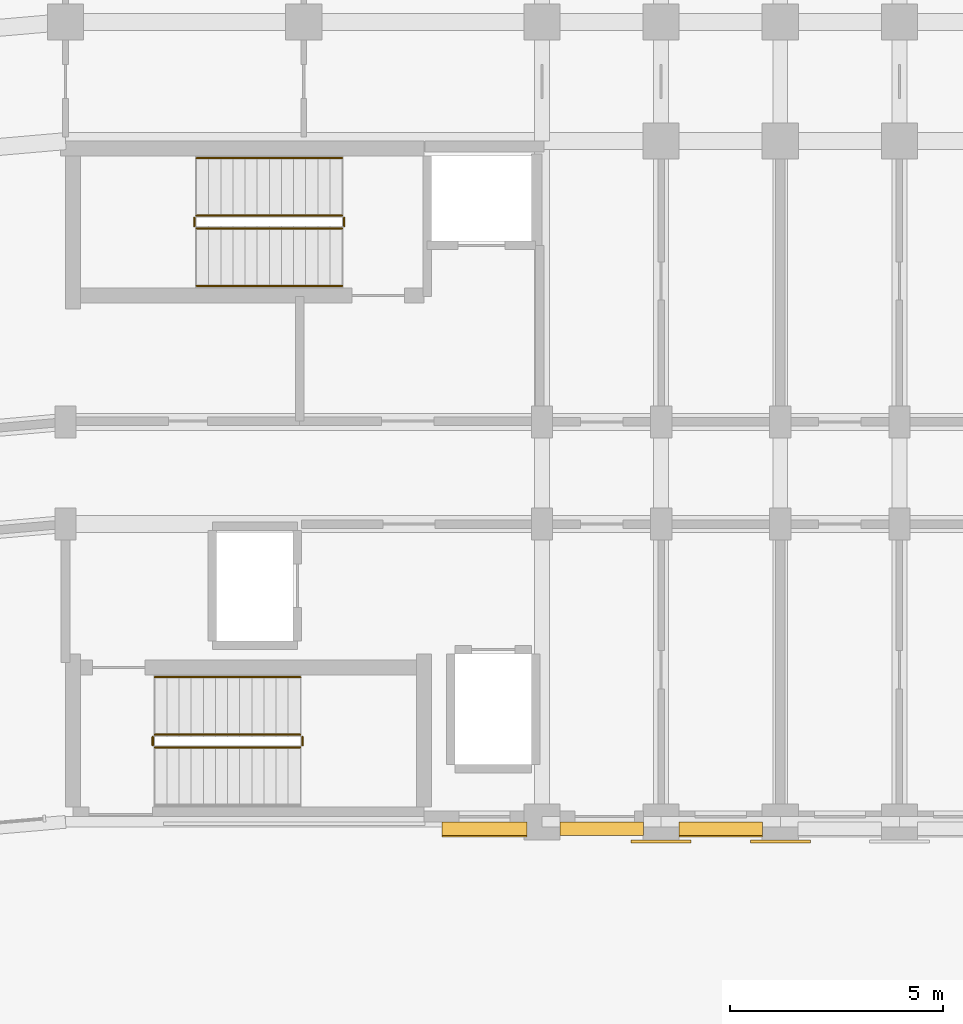
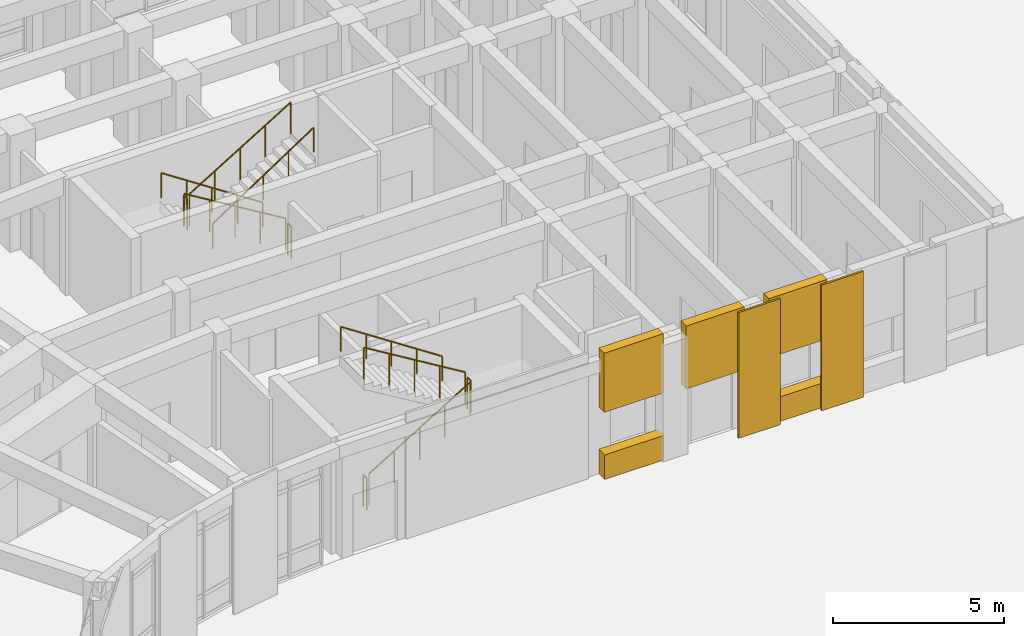
# One storey, part 127 of 135: 11 railings, 7 coverings.
"""IFC4 building model written with IfcOpenShell, lengths in metres."""

from ifc_helpers import new_model, si_unit, direction, frame, origin, origin_2d, place, context, subcontext, project, spatial, polyline, circle, outline, extrude, material, layer, layer_set, type_object, element, save


model = new_model("IFC4")

# Units and contexts
model_context = context("Model", 3, precision=1e-05, world=origin(), true_north=direction((0.0, 1.0)))
body_context = subcontext(model_context, "Body", "Model", "MODEL_VIEW")
ifc_project = project(units=[si_unit("LENGTHUNIT", "METRE"), si_unit("AREAUNIT", "SQUARE_METRE"), si_unit("VOLUMEUNIT", "CUBIC_METRE"), si_unit("PLANEANGLEUNIT", "RADIAN"), si_unit("MASSUNIT", "GRAM", prefix="KILO")], contexts=[model_context])

# Site, building, storey
site_placement = place(None, origin())
site = spatial("IfcSite", under=ifc_project, at=site_placement, CompositionType="ELEMENT")
building_placement = place(site_placement, origin())
building = spatial("IfcBuilding", under=site, at=building_placement, Name="Kiranvali Square Residences", CompositionType="ELEMENT")
storey_placement = place(building_placement, origin())
storey = spatial("IfcBuildingStorey", under=building, at=storey_placement, Name="L00", CompositionType="ELEMENT", Elevation=0.0)

# Coverings
ifc_material_1 = material(Name="Honed Porbandar limestone ashlar facade cladding", Category="masonry")
ifc_layer_1 = layer(ifc_material_1, 0.050048828125)
ifc_layer_set_1 = layer_set([ifc_layer_1], Name="Honed Porbandar limestone ashlar facade cladding")
covering_type_1 = type_object("IfcCoveringType", Name="COV-CLAD-PIER-IN", PredefinedType="CLADDING", material=ifc_layer_set_1)
covering_1_placement = place(storey_placement, frame((0.0, 0.0, 0.0048828125)))
element("IfcCovering", 1, at=covering_1_placement, inside=storey, type_object=covering_type_1, Name="L00 Classical limestone pilaster casing CLAD-PRA1I-A-L00-U140", PredefinedType="CLADDING", context=body_context, shape_type="SweptSolid", body=[
    extrude(outline(polyline([(61.4951171875, 106.10693359375), (62.905029296875, 106.10693359375), (62.905029296875, 106.174560546875), (61.4951171875, 106.174560546875), (61.4951171875, 106.10693359375)])), origin(), (0.0, 0.0, 1.0), 4.490234375),
])
covering_2_placement = place(storey_placement, frame((0.0, 0.0, 0.0048828125)))
element("IfcCovering", 2, at=covering_2_placement, inside=storey, type_object=covering_type_1, Name="L00 Classical limestone pilaster casing CLAD-PRA1I-A-L00-U167", PredefinedType="CLADDING", context=body_context, shape_type="SweptSolid", body=[
    extrude(outline(polyline([(64.294921875, 106.10693359375), (65.705078125, 106.10693359375), (65.705078125, 106.174560546875), (64.294921875, 106.174560546875), (64.294921875, 106.10693359375)])), origin(), (0.0, 0.0, 1.0), 4.490234375),
])
ifc_layer_2 = layer(ifc_material_1, 0.360107421875)
ifc_layer_set_2 = layer_set([ifc_layer_2], Name="Honed Porbandar limestone ashlar facade cladding")
covering_type_2 = type_object("IfcCoveringType", Name="COV-CLAD-WALL", PredefinedType="CLADDING", material=ifc_layer_set_2)
covering_3_placement = place(storey_placement, frame((0.0, 0.0, 2.3798828125)))
element("IfcCovering", 3, at=covering_3_placement, inside=storey, type_object=covering_type_2, Name="L00 light limestone spandrel lintel A-L00-A1IN-0", PredefinedType="CLADDING", context=body_context, shape_type="SweptSolid", body=[
    extrude(outline(polyline([(57.050048828125, 106.280029296875), (59.050048828125, 106.280029296875), (59.050048828125, 106.599609375), (57.050048828125, 106.599609375), (57.050048828125, 106.280029296875)])), origin(), (0.0, 0.0, 1.0), 2.115234375),
])
covering_4_placement = place(storey_placement, frame((0.0, 0.0, 0.0048828125)))
element("IfcCovering", 4, at=covering_4_placement, inside=storey, type_object=covering_type_2, Name="L00 limestone window sill apron A-L00-A1IN-0", PredefinedType="CLADDING", context=body_context, shape_type="SweptSolid", body=[
    extrude(outline(polyline([(57.050048828125, 106.25), (59.050048828125, 106.25), (59.050048828125, 106.599609375), (57.050048828125, 106.599609375), (57.050048828125, 106.25)])), origin(), (0.0, 0.0, 1.0), 0.875),
])
covering_5_placement = place(storey_placement, frame((0.0, 0.0, 2.25)))
element("IfcCovering", 5, at=covering_5_placement, inside=storey, type_object=covering_type_2, Name="L00 light limestone spandrel lintel A-L00-A1I-0", PredefinedType="CLADDING", context=body_context, shape_type="SweptSolid", body=[
    extrude(outline(polyline([(59.820068359375, 106.280029296875), (61.780029296875, 106.280029296875), (61.780029296875, 106.599609375), (59.820068359375, 106.599609375), (59.820068359375, 106.280029296875)])), origin(), (0.0, 0.0, 1.0), 2.2451171875),
])
covering_6_placement = place(storey_placement, frame((0.0, 0.0, 2.3798828125)))
element("IfcCovering", 6, at=covering_6_placement, inside=storey, type_object=covering_type_2, Name="L00 light limestone spandrel lintel A-L00-A1I-1", PredefinedType="CLADDING", context=body_context, shape_type="SweptSolid", body=[
    extrude(outline(polyline([(62.6201171875, 106.280029296875), (64.580078125, 106.280029296875), (64.580078125, 106.599609375), (62.6201171875, 106.599609375), (62.6201171875, 106.280029296875)])), origin(), (0.0, 0.0, 1.0), 2.115234375),
])
covering_7_placement = place(storey_placement, frame((0.0, 0.0, 0.0048828125)))
element("IfcCovering", 7, at=covering_7_placement, inside=storey, type_object=covering_type_2, Name="L00 limestone window sill apron A-L00-A1I-1", PredefinedType="CLADDING", context=body_context, shape_type="SweptSolid", body=[
    extrude(outline(polyline([(62.6201171875, 106.25), (64.580078125, 106.25), (64.580078125, 106.599609375), (62.6201171875, 106.599609375), (62.6201171875, 106.25)])), origin(), (0.0, 0.0, 1.0), 0.875),
])

# Railings
ifc_material_2 = material(Name="Brushed stainless steel tubular handrail", Category="steel")
railing_type_1 = type_object("IfcRailingType", Name="RL-HANDRAIL-900", PredefinedType="HANDRAIL", material=ifc_material_2)
railing_1_placement = place(storey_placement, frame((54.699951171875, 122.199951171875, 0.173095703125)))
element("IfcRailing", 8, at=railing_1_placement, inside=storey, type_object=railing_type_1, Name="L00 ST-A1 stair handrail 1", PredefinedType="HANDRAIL", context=body_context, shape_type="SweptSolid", body=[
    extrude(circle(Radius=0.02392578125, at=origin_2d()), frame((0.0, 0.0, 0.8759765625), z_axis=(-0.835411317272, 0.0, 0.549625264133), x_axis=(0.0, -1.0, 0.0)), (0.0, 0.0, 1.0), 4.09375),
    extrude(circle(Radius=0.02099609375, at=origin_2d()), origin(), (0.0, 0.0, 1.0), 0.851806640625),
    extrude(circle(Radius=0.02099609375, at=origin_2d()), frame((-0.85498046875, 0.0, 0.5625)), (0.0, 0.0, 1.0), 0.851806640625),
    extrude(circle(Radius=0.02099609375, at=origin_2d()), frame((-1.7099609375, 0.0, 1.125)), (0.0, 0.0, 1.0), 0.851806640625),
    extrude(circle(Radius=0.02099609375, at=origin_2d()), frame((-2.56494140625, 0.0, 1.6875)), (0.0, 0.0, 1.0), 0.851806640625),
    extrude(circle(Radius=0.02099609375, at=origin_2d()), frame((-3.419921875, 0.0, 2.25)), (0.0, 0.0, 1.0), 0.851806640625),
])
railing_2_placement = place(storey_placement, frame((51.280029296875, 119.199951171875, 2.423095703125)))
element("IfcRailing", 9, at=railing_2_placement, inside=storey, type_object=railing_type_1, Name="L00 ST-A1 stair handrail 2", PredefinedType="HANDRAIL", context=body_context, shape_type="SweptSolid", body=[
    extrude(circle(Radius=0.02392578125, at=origin_2d()), frame((0.0, 0.0, 0.8759765625), z_axis=(0.835411317272, 0.0, 0.549625264133), x_axis=(0.0, 1.0, 0.0)), (0.0, 0.0, 1.0), 4.09375),
    extrude(circle(Radius=0.02099609375, at=origin_2d()), origin(), (0.0, 0.0, 1.0), 0.851806640625),
    extrude(circle(Radius=0.02099609375, at=origin_2d()), frame((0.85498046875, 0.0, 0.5625)), (0.0, 0.0, 1.0), 0.851806640625),
    extrude(circle(Radius=0.02099609375, at=origin_2d()), frame((1.7099609375, 0.0, 1.125)), (0.0, 0.0, 1.0), 0.851806640625),
    extrude(circle(Radius=0.02099609375, at=origin_2d()), frame((2.56494140625, 0.0, 1.6875)), (0.0, 0.0, 1.0), 0.851806640625),
    extrude(circle(Radius=0.02099609375, at=origin_2d()), frame((3.419921875, 0.0, 2.25)), (0.0, 0.0, 1.0), 0.851806640625),
])
railing_3_placement = place(storey_placement, frame((53.719970703125, 110.0, 2.423095703125)))
element("IfcRailing", 10, at=railing_3_placement, inside=storey, type_object=railing_type_1, Name="L00 ST-A2 stair handrail 2", PredefinedType="HANDRAIL", context=body_context, shape_type="SweptSolid", body=[
    extrude(circle(Radius=0.02392578125, at=origin_2d()), frame((0.0, 0.0, 0.8759765625), z_axis=(-0.835411317272, 0.0, 0.549625264133), x_axis=(0.0, -1.0, 0.0)), (0.0, 0.0, 1.0), 4.09375),
    extrude(circle(Radius=0.02099609375, at=origin_2d()), origin(), (0.0, 0.0, 1.0), 0.851806640625),
    extrude(circle(Radius=0.02099609375, at=origin_2d()), frame((-0.85498046875, 0.0, 0.5625)), (0.0, 0.0, 1.0), 0.851806640625),
    extrude(circle(Radius=0.02099609375, at=origin_2d()), frame((-1.7099609375, 0.0, 1.125)), (0.0, 0.0, 1.0), 0.851806640625),
    extrude(circle(Radius=0.02099609375, at=origin_2d()), frame((-2.56494140625, 0.0, 1.6875)), (0.0, 0.0, 1.0), 0.851806640625),
    extrude(circle(Radius=0.02099609375, at=origin_2d()), frame((-3.419921875, 0.0, 2.25)), (0.0, 0.0, 1.0), 0.851806640625),
])
ifc_material_3 = material(Name="Powder-coated architectural bronze balustrade", Category="steel")
railing_type_2 = type_object("IfcRailingType", Name="RL-ST-GUARD-1200", PredefinedType="GUARDRAIL", material=ifc_material_3)
railing_4_placement = place(storey_placement, frame((54.699951171875, 120.85009765625, 0.173095703125)))
element("IfcRailing", 11, at=railing_4_placement, inside=storey, type_object=railing_type_2, Name="L00 ST-A1 stair guard 1", PredefinedType="GUARDRAIL", context=body_context, shape_type="SweptSolid", body=[
    extrude(circle(Radius=0.02392578125, at=origin_2d()), frame((0.0, 0.0, 1.1259765625), z_axis=(-0.854729506542, 0.0, 0.519073665916), x_axis=(0.0, -1.0, 0.0)), (0.0, 0.0, 1.0), 4.001220703125),
    extrude(circle(Radius=0.02099609375, at=origin_2d()), origin(), (0.0, 0.0, 1.0), 1.101806640625),
    extrude(circle(Radius=0.02099609375, at=origin_2d()), frame((-0.85498046875, 0.0, 0.519287109375)), (0.0, 0.0, 1.0), 1.101806640625),
    extrude(circle(Radius=0.02099609375, at=origin_2d()), frame((-1.7099609375, 0.0, 1.03857421875)), (0.0, 0.0, 1.0), 1.101806640625),
    extrude(circle(Radius=0.02099609375, at=origin_2d()), frame((-2.56494140625, 0.0, 1.5576171875)), (0.0, 0.0, 1.0), 1.101806640625),
    extrude(circle(Radius=0.02099609375, at=origin_2d()), frame((-3.419921875, 0.0, 2.076904296875)), (0.0, 0.0, 1.0), 1.101806640625),
])
railing_5_placement = place(storey_placement, frame((51.22998046875, 120.800048828125, 2.25)))
element("IfcRailing", 12, at=railing_5_placement, inside=storey, type_object=railing_type_2, Name="L00 ST-A1 stair guard 2", PredefinedType="GUARDRAIL", context=body_context, shape_type="SweptSolid", body=[
    extrude(circle(Radius=0.02392578125, at=origin_2d()), frame((0.0, 0.0, 1.1259765625), z_axis=(0.0, -1.0, 0.0), x_axis=(1.0, 0.0, 0.0)), (0.0, 0.0, 1.0), 0.199951171875),
    extrude(circle(Radius=0.02099609375, at=origin_2d()), origin(), (0.0, 0.0, 1.0), 1.101806640625),
    extrude(circle(Radius=0.02099609375, at=origin_2d()), frame((0.0, -0.199951171875, 0.0)), (0.0, 0.0, 1.0), 1.101806640625),
])
railing_6_placement = place(storey_placement, frame((51.280029296875, 120.550048828125, 2.423095703125)))
element("IfcRailing", 13, at=railing_6_placement, inside=storey, type_object=railing_type_2, Name="L00 ST-A1 stair guard 3", PredefinedType="GUARDRAIL", context=body_context, shape_type="SweptSolid", body=[
    extrude(circle(Radius=0.02392578125, at=origin_2d()), frame((0.0, 0.0, 1.1259765625), z_axis=(0.854729506542, 0.0, 0.519073665916), x_axis=(0.0, 1.0, 0.0)), (0.0, 0.0, 1.0), 4.001220703125),
    extrude(circle(Radius=0.02099609375, at=origin_2d()), origin(), (0.0, 0.0, 1.0), 1.101806640625),
    extrude(circle(Radius=0.02099609375, at=origin_2d()), frame((0.85498046875, 0.0, 0.519287109375)), (0.0, 0.0, 1.0), 1.101806640625),
    extrude(circle(Radius=0.02099609375, at=origin_2d()), frame((1.7099609375, 0.0, 1.03857421875)), (0.0, 0.0, 1.0), 1.101806640625),
    extrude(circle(Radius=0.02099609375, at=origin_2d()), frame((2.56494140625, 0.0, 1.5576171875)), (0.0, 0.0, 1.0), 1.101806640625),
    extrude(circle(Radius=0.02099609375, at=origin_2d()), frame((3.419921875, 0.0, 2.076904296875)), (0.0, 0.0, 1.0), 1.101806640625),
])
railing_7_placement = place(storey_placement, frame((54.75, 120.800048828125, 0.0)))
element("IfcRailing", 14, at=railing_7_placement, inside=storey, type_object=railing_type_2, Name="L00 ST-A1 stair guard 4", PredefinedType="GUARDRAIL", context=body_context, shape_type="SweptSolid", body=[
    extrude(circle(Radius=0.02392578125, at=origin_2d()), frame((0.0, 0.0, 1.1259765625), z_axis=(0.0, -1.0, 0.0), x_axis=(1.0, 0.0, 0.0)), (0.0, 0.0, 1.0), 0.199951171875),
    extrude(circle(Radius=0.02099609375, at=origin_2d()), origin(), (0.0, 0.0, 1.0), 1.101806640625),
    extrude(circle(Radius=0.02099609375, at=origin_2d()), frame((0.0, -0.199951171875, 0.0)), (0.0, 0.0, 1.0), 1.101806640625),
])
railing_8_placement = place(storey_placement, frame((50.300048828125, 108.35009765625, 0.173095703125)))
element("IfcRailing", 15, at=railing_8_placement, inside=storey, type_object=railing_type_2, Name="L00 ST-A2 stair guard 1", PredefinedType="GUARDRAIL", context=body_context, shape_type="SweptSolid", body=[
    extrude(circle(Radius=0.02392578125, at=origin_2d()), frame((0.0, 0.0, 1.1259765625), z_axis=(0.854729506542, 0.0, 0.519073665916), x_axis=(0.0, 1.0, 0.0)), (0.0, 0.0, 1.0), 4.001220703125),
    extrude(circle(Radius=0.02099609375, at=origin_2d()), origin(), (0.0, 0.0, 1.0), 1.101806640625),
    extrude(circle(Radius=0.02099609375, at=origin_2d()), frame((0.85498046875, 0.0, 0.519287109375)), (0.0, 0.0, 1.0), 1.101806640625),
    extrude(circle(Radius=0.02099609375, at=origin_2d()), frame((1.7099609375, 0.0, 1.03857421875)), (0.0, 0.0, 1.0), 1.101806640625),
    extrude(circle(Radius=0.02099609375, at=origin_2d()), frame((2.56494140625, 0.0, 1.5576171875)), (0.0, 0.0, 1.0), 1.101806640625),
    extrude(circle(Radius=0.02099609375, at=origin_2d()), frame((3.419921875, 0.0, 2.076904296875)), (0.0, 0.0, 1.0), 1.101806640625),
])
railing_9_placement = place(storey_placement, frame((53.77001953125, 108.39990234375, 2.25)))
element("IfcRailing", 16, at=railing_9_placement, inside=storey, type_object=railing_type_2, Name="L00 ST-A2 stair guard 2", PredefinedType="GUARDRAIL", context=body_context, shape_type="SweptSolid", body=[
    extrude(circle(Radius=0.02392578125, at=origin_2d()), frame((0.0, 0.0, 1.1259765625), z_axis=(0.0, 1.0, 0.0), x_axis=(-1.0, 0.0, 0.0)), (0.0, 0.0, 1.0), 0.2001953125),
    extrude(circle(Radius=0.02099609375, at=origin_2d()), origin(), (0.0, 0.0, 1.0), 1.101806640625),
    extrude(circle(Radius=0.02099609375, at=origin_2d()), frame((0.0, 0.2001953125, 0.0)), (0.0, 0.0, 1.0), 1.101806640625),
])
railing_10_placement = place(storey_placement, frame((53.719970703125, 108.64990234375, 2.423095703125)))
element("IfcRailing", 17, at=railing_10_placement, inside=storey, type_object=railing_type_2, Name="L00 ST-A2 stair guard 3", PredefinedType="GUARDRAIL", context=body_context, shape_type="SweptSolid", body=[
    extrude(circle(Radius=0.02392578125, at=origin_2d()), frame((0.0, 0.0, 1.1259765625), z_axis=(-0.854729506542, 0.0, 0.519073665916), x_axis=(0.0, -1.0, 0.0)), (0.0, 0.0, 1.0), 4.001220703125),
    extrude(circle(Radius=0.02099609375, at=origin_2d()), origin(), (0.0, 0.0, 1.0), 1.101806640625),
    extrude(circle(Radius=0.02099609375, at=origin_2d()), frame((-0.85498046875, 0.0, 0.519287109375)), (0.0, 0.0, 1.0), 1.101806640625),
    extrude(circle(Radius=0.02099609375, at=origin_2d()), frame((-1.7099609375, 0.0, 1.03857421875)), (0.0, 0.0, 1.0), 1.101806640625),
    extrude(circle(Radius=0.02099609375, at=origin_2d()), frame((-2.56494140625, 0.0, 1.5576171875)), (0.0, 0.0, 1.0), 1.101806640625),
    extrude(circle(Radius=0.02099609375, at=origin_2d()), frame((-3.419921875, 0.0, 2.076904296875)), (0.0, 0.0, 1.0), 1.101806640625),
])
railing_11_placement = place(storey_placement, frame((50.25, 108.39990234375, 0.0)))
element("IfcRailing", 18, at=railing_11_placement, inside=storey, type_object=railing_type_2, Name="L00 ST-A2 stair guard 4", PredefinedType="GUARDRAIL", context=body_context, shape_type="SweptSolid", body=[
    extrude(circle(Radius=0.02392578125, at=origin_2d()), frame((0.0, 0.0, 1.1259765625), z_axis=(0.0, 1.0, 0.0), x_axis=(-1.0, 0.0, 0.0)), (0.0, 0.0, 1.0), 0.2001953125),
    extrude(circle(Radius=0.02099609375, at=origin_2d()), origin(), (0.0, 0.0, 1.0), 1.101806640625),
    extrude(circle(Radius=0.02099609375, at=origin_2d()), frame((0.0, 0.2001953125, 0.0)), (0.0, 0.0, 1.0), 1.101806640625),
])

save(model, "model.ifc")
